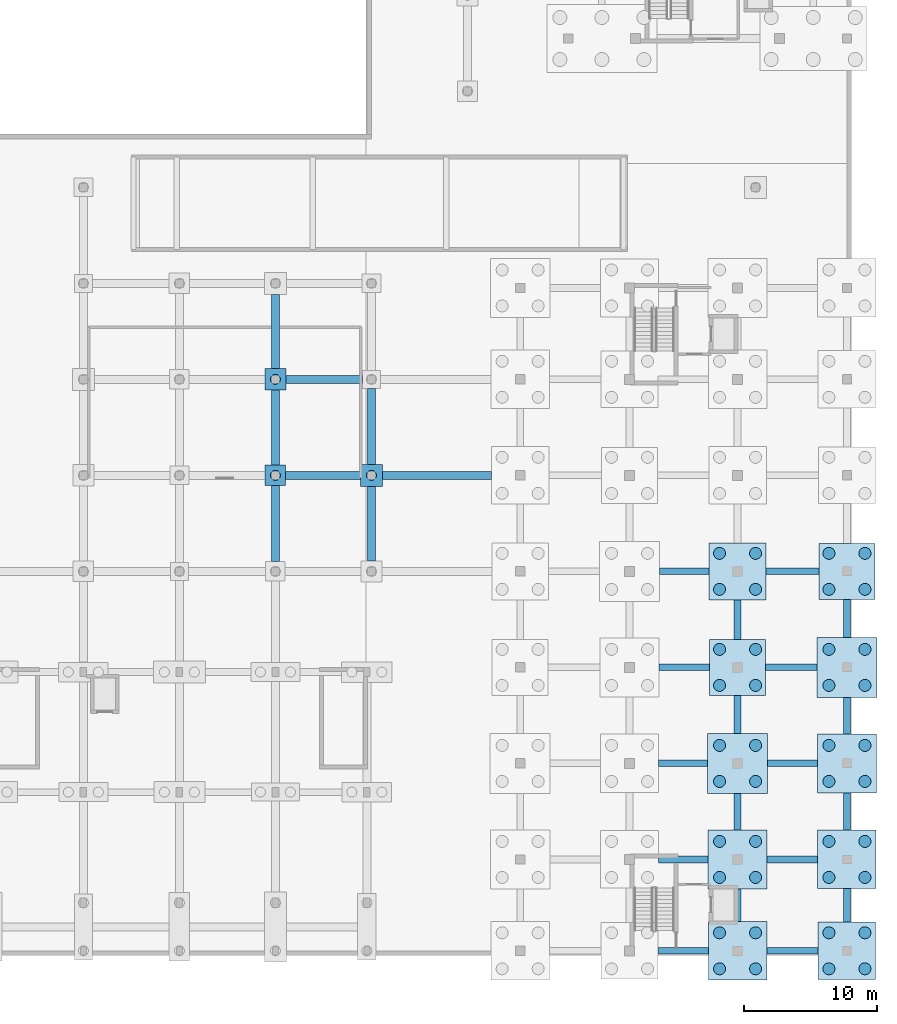
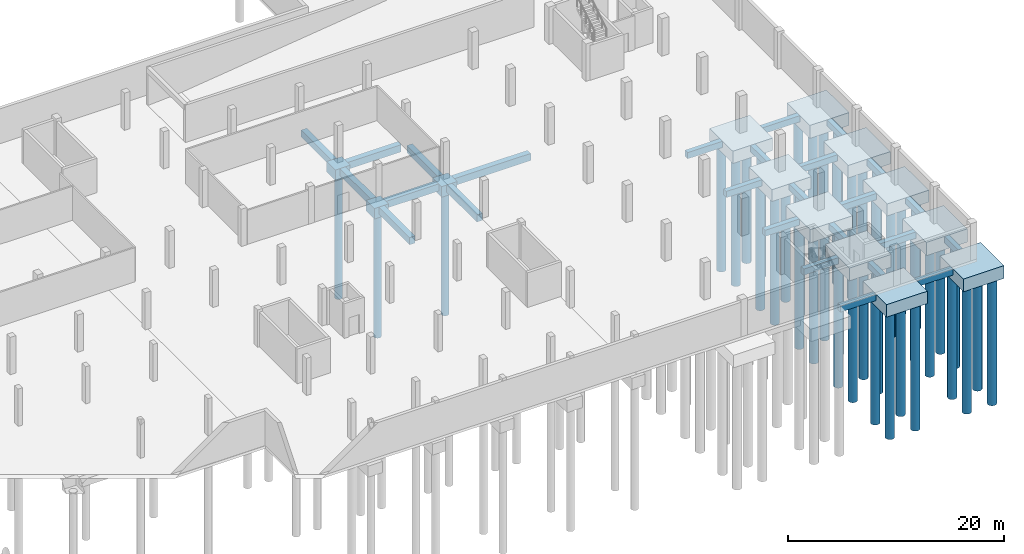
# One storey, part 10 of 36: 43 piles, 39 footings.
"""IFC4 building model written with IfcOpenShell, lengths in metres."""

from ifc_helpers import new_model, si_unit, derived_unit, direction, frame, origin, origin_2d, place, context, subcontext, project, spatial, polyline, rectangle, circle, outline, extrude, material, material_profile, profile_set, type_object, element, save


model = new_model("IFC4")

# Units and contexts
model_context = context("Model", 3, precision=1e-05, world=origin(), true_north=direction((0.0, 1.0)))
body_context = subcontext(model_context, "Body", "Model", "MODEL_VIEW")
ifc_project = project(units=[si_unit("LENGTHUNIT", "METRE"), si_unit("AREAUNIT", "SQUARE_METRE"), si_unit("VOLUMEUNIT", "CUBIC_METRE"), si_unit("PLANEANGLEUNIT", "RADIAN"), si_unit("MASSUNIT", "GRAM", prefix="KILO"), derived_unit("THERMALTRANSMITTANCEUNIT", [(si_unit("MASSUNIT", "GRAM", prefix="KILO"), 1), (si_unit("TIMEUNIT", "SECOND"), -3), (si_unit("THERMODYNAMICTEMPERATUREUNIT", "KELVIN"), -1)])], contexts=[model_context])

# Site, building, storey
site_placement = place(None, origin())
site = spatial("IfcSite", under=ifc_project, at=site_placement, CompositionType="ELEMENT")
building_placement = place(site_placement, origin())
building = spatial("IfcBuilding", under=site, at=building_placement, Name="Ochrekiln Boulevard Commons", CompositionType="ELEMENT")
storey_placement = place(building_placement, frame((0.0, 0.0, -4.199951171875)))
storey = spatial("IfcBuildingStorey", under=building, at=storey_placement, Name="B1", CompositionType="ELEMENT", Elevation=-4.199951171875)

# Footings
ifc_material = material(Name="Concrete C35/45", Category="concrete")
footing_type_1 = type_object("IfcFootingType", Name="CAP-RC-1530x1530x1200", PredefinedType="PILE_CAP", material=ifc_material)
footing_1_placement = place(storey_placement, frame((129.60009765625, 36.0, -1.5), z_axis=(0.0, 0.0, 1.0), x_axis=(1.0, 0.0, 0.0)))
element("IfcFooting", 1, at=footing_1_placement, inside=storey, type_object=footing_type_1, Name="Reinforced Concrete Pile Cap PC-30 (159)", PredefinedType="PILE_CAP", context=body_context, shape_type="SweptSolid", body=[
    extrude(rectangle(XDim=1.530029296875, YDim=1.530029296875, at=origin_2d()), origin(), (0.0, 0.0, 1.0), 1.199951171875),
])
footing_type_2 = type_object("IfcFootingType", Name="CAP-RC-1590x1590x1200", PredefinedType="PILE_CAP", material=ifc_material)
footing_2_placement = place(storey_placement, frame((129.60009765625, 43.199951171875, -1.5), z_axis=(0.0, 0.0, 1.0), x_axis=(1.0, 0.0, 0.0)))
element("IfcFooting", 2, at=footing_2_placement, inside=storey, type_object=footing_type_2, Name="Reinforced Concrete Pile Cap PC-26 (160)", PredefinedType="PILE_CAP", context=body_context, shape_type="SweptSolid", body=[
    extrude(rectangle(XDim=1.590087890625, YDim=1.590087890625, at=origin_2d()), origin(), (0.0, 0.0, 1.0), 1.199951171875),
])
footing_type_3 = type_object("IfcFootingType", Name="CAP-RC-1650x1650x1200", PredefinedType="PILE_CAP", material=ifc_material)
footing_3_placement = place(storey_placement, frame((136.800048828125, 36.0, -1.5), z_axis=(0.0, 0.0, 1.0), x_axis=(1.0, 0.0, 0.0)))
element("IfcFooting", 3, at=footing_3_placement, inside=storey, type_object=footing_type_3, Name="Reinforced Concrete Pile Cap PC-17 (167)", PredefinedType="PILE_CAP", context=body_context, shape_type="SweptSolid", body=[
    extrude(rectangle(XDim=1.64990234375, YDim=1.64990234375, at=origin_2d()), origin(), (0.0, 0.0, 1.0), 1.199951171875),
])
footing_type_4 = type_object("IfcFootingType", Name="CAP-RC-4200x4200x1350", PredefinedType="PILE_CAP", material=ifc_material)
footing_4_placement = place(storey_placement, frame((164.25, 21.60009765625, -1.650146484375), z_axis=(0.0, 0.0, 1.0), x_axis=(1.0, 0.0, 0.0)))
element("IfcFooting", 4, at=footing_4_placement, inside=storey, type_object=footing_type_4, Name="Reinforced Concrete Pile Cap PC-45 (204)", PredefinedType="PILE_CAP", context=body_context, shape_type="SweptSolid", body=[
    extrude(rectangle(XDim=4.199951171875, YDim=4.199951171875, at=origin_2d()), origin(), (0.0, 0.0, 1.0), 1.35009765625),
])
footing_type_5 = type_object("IfcFootingType", Name="CAP-RC-4200x4200x1450", PredefinedType="PILE_CAP", material=ifc_material)
footing_5_placement = place(storey_placement, frame((172.449951171875, 28.800048828125, -1.75), z_axis=(0.0, 0.0, 1.0), x_axis=(1.0, 0.0, 0.0)))
element("IfcFooting", 5, at=footing_5_placement, inside=storey, type_object=footing_type_5, Name="Reinforced Concrete Pile Cap PC-51 (222)", PredefinedType="PILE_CAP", context=body_context, shape_type="SweptSolid", body=[
    extrude(rectangle(XDim=4.199951171875, YDim=4.199951171875, at=origin_2d()), origin(), (0.0, 0.0, 1.0), 1.449951171875),
])
footing_type_6 = type_object("IfcFootingType", Name="CAP-RC-4260x4260x1400", PredefinedType="PILE_CAP", material=ifc_material)
footing_6_placement = place(storey_placement, frame((164.25, 28.800048828125, -1.699951171875), z_axis=(0.0, 0.0, 1.0), x_axis=(1.0, 0.0, 0.0)))
element("IfcFooting", 6, at=footing_6_placement, inside=storey, type_object=footing_type_6, Name="Reinforced Concrete Pile Cap PC-46 (205)", PredefinedType="PILE_CAP", context=body_context, shape_type="SweptSolid", body=[
    extrude(rectangle(XDim=4.260009765625, YDim=4.260009765625, at=origin_2d()), origin(), (0.0, 0.0, 1.0), 1.39990234375),
])
footing_type_7 = type_object("IfcFootingType", Name="CAP-RC-4320x4320x1450", PredefinedType="PILE_CAP", material=ifc_material)
footing_7_placement = place(storey_placement, frame((172.449951171875, 0.35009765625, -1.75), z_axis=(0.0, 0.0, 1.0), x_axis=(1.0, 0.0, 0.0)))
element("IfcFooting", 7, at=footing_7_placement, inside=storey, type_object=footing_type_7, Name="Reinforced Concrete Pile Cap PC-47 (218)", PredefinedType="PILE_CAP", context=body_context, shape_type="SweptSolid", body=[
    extrude(rectangle(XDim=4.320068359375, YDim=4.320068359375, at=origin_2d()), origin(), (0.0, 0.0, 1.0), 1.449951171875),
])
footing_type_8 = type_object("IfcFootingType", Name="CAP-RC-4380x4380x1400", PredefinedType="PILE_CAP", material=ifc_material)
footing_8_placement = place(storey_placement, frame((164.25, 0.35009765625, -1.699951171875), z_axis=(0.0, 0.0, 1.0), x_axis=(1.0, 0.0, 0.0)))
element("IfcFooting", 8, at=footing_8_placement, inside=storey, type_object=footing_type_8, Name="Reinforced Concrete Pile Cap PC-42 (201)", PredefinedType="PILE_CAP", context=body_context, shape_type="SweptSolid", body=[
    extrude(rectangle(XDim=4.3798828125, YDim=4.3798828125, at=origin_2d()), origin(), (0.0, 0.0, 1.0), 1.39990234375),
])
footing_type_9 = type_object("IfcFootingType", Name="CAP-RC-4380x4380x1500", PredefinedType="PILE_CAP", material=ifc_material)
footing_9_placement = place(storey_placement, frame((172.449951171875, 7.199951171875, -1.800048828125), z_axis=(0.0, 0.0, 1.0), x_axis=(1.0, 0.0, 0.0)))
element("IfcFooting", 9, at=footing_9_placement, inside=storey, type_object=footing_type_9, Name="Reinforced Concrete Pile Cap PC-48 (219)", PredefinedType="PILE_CAP", context=body_context, shape_type="SweptSolid", body=[
    extrude(rectangle(XDim=4.3798828125, YDim=4.3798828125, at=origin_2d()), origin(), (0.0, 0.0, 1.0), 1.5),
])
footing_type_10 = type_object("IfcFootingType", Name="CAP-RC-4440x4440x1350", PredefinedType="PILE_CAP", material=ifc_material)
footing_10_placement = place(storey_placement, frame((172.449951171875, 14.39990234375, -1.650146484375), z_axis=(0.0, 0.0, 1.0), x_axis=(1.0, 0.0, 0.0)))
element("IfcFooting", 10, at=footing_10_placement, inside=storey, type_object=footing_type_10, Name="Reinforced Concrete Pile Cap PC-49 (220)", PredefinedType="PILE_CAP", context=body_context, shape_type="SweptSolid", body=[
    extrude(rectangle(XDim=4.43994140625, YDim=4.43994140625, at=origin_2d()), origin(), (0.0, 0.0, 1.0), 1.35009765625),
])
footing_type_11 = type_object("IfcFootingType", Name="CAP-RC-4440x4440x1450", PredefinedType="PILE_CAP", material=ifc_material)
footing_11_placement = place(storey_placement, frame((164.25, 7.199951171875, -1.75), z_axis=(0.0, 0.0, 1.0), x_axis=(1.0, 0.0, 0.0)))
element("IfcFooting", 11, at=footing_11_placement, inside=storey, type_object=footing_type_11, Name="Reinforced Concrete Pile Cap PC-43 (202)", PredefinedType="PILE_CAP", context=body_context, shape_type="SweptSolid", body=[
    extrude(rectangle(XDim=4.43994140625, YDim=4.43994140625, at=origin_2d()), origin(), (0.0, 0.0, 1.0), 1.449951171875),
])
footing_type_12 = type_object("IfcFootingType", Name="CAP-RC-4500x4500x1400", PredefinedType="PILE_CAP", material=ifc_material)
footing_12_placement = place(storey_placement, frame((172.449951171875, 21.60009765625, -1.699951171875), z_axis=(0.0, 0.0, 1.0), x_axis=(1.0, 0.0, 0.0)))
element("IfcFooting", 12, at=footing_12_placement, inside=storey, type_object=footing_type_12, Name="Reinforced Concrete Pile Cap PC-50 (221)", PredefinedType="PILE_CAP", context=body_context, shape_type="SweptSolid", body=[
    extrude(rectangle(XDim=4.5, YDim=4.5, at=origin_2d()), origin(), (0.0, 0.0, 1.0), 1.39990234375),
])
footing_type_13 = type_object("IfcFootingType", Name="CAP-RC-4500x4500x1500", PredefinedType="PILE_CAP", material=ifc_material)
footing_13_placement = place(storey_placement, frame((164.25, 14.39990234375, -1.800048828125), z_axis=(0.0, 0.0, 1.0), x_axis=(1.0, 0.0, 0.0)))
element("IfcFooting", 13, at=footing_13_placement, inside=storey, type_object=footing_type_13, Name="Reinforced Concrete Pile Cap PC-44 (203)", PredefinedType="PILE_CAP", context=body_context, shape_type="SweptSolid", body=[
    extrude(rectangle(XDim=4.5, YDim=4.5, at=origin_2d()), origin(), (0.0, 0.0, 1.0), 1.5),
])
footing_type_14 = type_object("IfcFootingType", Name="FTG-BEAM-500x700", PredefinedType="FOOTING_BEAM", material=ifc_material)
footing_14_placement = place(storey_placement, frame((0.0, 0.0, -1.0)))
element("IfcFooting", 14, at=footing_14_placement, inside=storey, type_object=footing_type_14, Name="Seismic Footing Tie Beam FB-5070 X-3", PredefinedType="FOOTING_BEAM", context=body_context, shape_type="SweptSolid", body=[
    extrude(outline(polyline([(158.280029296875, 0.10009765625), (162.06005859375, 0.10009765625), (162.06005859375, 0.60009765625), (158.280029296875, 0.60009765625), (158.280029296875, 0.10009765625)])), origin(), (0.0, 0.0, 1.0), 0.699951171875),
])
footing_15_placement = place(storey_placement, frame((0.0, 0.0, -1.0)))
element("IfcFooting", 15, at=footing_15_placement, inside=storey, type_object=footing_type_14, Name="Seismic Footing Tie Beam FB-5070 X-4", PredefinedType="FOOTING_BEAM", context=body_context, shape_type="SweptSolid", body=[
    extrude(outline(polyline([(166.43994140625, 0.10009765625), (170.2900390625, 0.10009765625), (170.2900390625, 0.60009765625), (166.43994140625, 0.60009765625), (166.43994140625, 0.10009765625)])), origin(), (0.0, 0.0, 1.0), 0.699951171875),
])
footing_16_placement = place(storey_placement, frame((0.0, 0.0, -1.0)))
element("IfcFooting", 16, at=footing_16_placement, inside=storey, type_object=footing_type_14, Name="Seismic Footing Tie Beam FB-5070 X-7", PredefinedType="FOOTING_BEAM", context=body_context, shape_type="SweptSolid", body=[
    extrude(outline(polyline([(158.31005859375, 6.949951171875), (162.030029296875, 6.949951171875), (162.030029296875, 7.449951171875), (158.31005859375, 7.449951171875), (158.31005859375, 6.949951171875)])), origin(), (0.0, 0.0, 1.0), 0.699951171875),
])
footing_17_placement = place(storey_placement, frame((0.0, 0.0, -1.0)))
element("IfcFooting", 17, at=footing_17_placement, inside=storey, type_object=footing_type_14, Name="Seismic Footing Tie Beam FB-5070 X-8", PredefinedType="FOOTING_BEAM", context=body_context, shape_type="SweptSolid", body=[
    extrude(outline(polyline([(166.469970703125, 6.949951171875), (170.260009765625, 6.949951171875), (170.260009765625, 7.449951171875), (166.469970703125, 7.449951171875), (166.469970703125, 6.949951171875)])), origin(), (0.0, 0.0, 1.0), 0.699951171875),
])
footing_18_placement = place(storey_placement, frame((0.0, 0.0, -1.0)))
element("IfcFooting", 18, at=footing_18_placement, inside=storey, type_object=footing_type_14, Name="Seismic Footing Tie Beam FB-5070 X-11", PredefinedType="FOOTING_BEAM", context=body_context, shape_type="SweptSolid", body=[
    extrude(outline(polyline([(158.340087890625, 14.14990234375), (162.0, 14.14990234375), (162.0, 14.64990234375), (158.340087890625, 14.64990234375), (158.340087890625, 14.14990234375)])), origin(), (0.0, 0.0, 1.0), 0.699951171875),
])
footing_19_placement = place(storey_placement, frame((0.0, 0.0, -1.0)))
element("IfcFooting", 19, at=footing_19_placement, inside=storey, type_object=footing_type_14, Name="Seismic Footing Tie Beam FB-5070 X-12", PredefinedType="FOOTING_BEAM", context=body_context, shape_type="SweptSolid", body=[
    extrude(outline(polyline([(166.5, 14.14990234375), (170.22998046875, 14.14990234375), (170.22998046875, 14.64990234375), (166.5, 14.64990234375), (166.5, 14.14990234375)])), origin(), (0.0, 0.0, 1.0), 0.699951171875),
])
footing_20_placement = place(storey_placement, frame((0.0, 0.0, -1.0)))
element("IfcFooting", 20, at=footing_20_placement, inside=storey, type_object=footing_type_14, Name="Seismic Footing Tie Beam FB-5070 X-29", PredefinedType="FOOTING_BEAM", context=body_context, shape_type="SweptSolid", body=[
    extrude(outline(polyline([(158.3701171875, 21.35009765625), (162.14990234375, 21.35009765625), (162.14990234375, 21.85009765625), (158.3701171875, 21.85009765625), (158.3701171875, 21.35009765625)])), origin(), (0.0, 0.0, 1.0), 0.699951171875),
])
footing_21_placement = place(storey_placement, frame((0.0, 0.0, -1.0)))
element("IfcFooting", 21, at=footing_21_placement, inside=storey, type_object=footing_type_14, Name="Seismic Footing Tie Beam FB-5070 X-30", PredefinedType="FOOTING_BEAM", context=body_context, shape_type="SweptSolid", body=[
    extrude(outline(polyline([(166.35009765625, 21.35009765625), (170.199951171875, 21.35009765625), (170.199951171875, 21.85009765625), (166.35009765625, 21.85009765625), (166.35009765625, 21.35009765625)])), origin(), (0.0, 0.0, 1.0), 0.699951171875),
])
footing_22_placement = place(storey_placement, frame((0.0, 0.0, -1.0)))
element("IfcFooting", 22, at=footing_22_placement, inside=storey, type_object=footing_type_14, Name="Seismic Footing Tie Beam FB-5070 X-50", PredefinedType="FOOTING_BEAM", context=body_context, shape_type="SweptSolid", body=[
    extrude(outline(polyline([(158.39990234375, 28.550048828125), (162.1201171875, 28.550048828125), (162.1201171875, 29.050048828125), (158.39990234375, 29.050048828125), (158.39990234375, 28.550048828125)])), origin(), (0.0, 0.0, 1.0), 0.699951171875),
])
footing_23_placement = place(storey_placement, frame((0.0, 0.0, -1.0)))
element("IfcFooting", 23, at=footing_23_placement, inside=storey, type_object=footing_type_14, Name="Seismic Footing Tie Beam FB-5070 X-51", PredefinedType="FOOTING_BEAM", context=body_context, shape_type="SweptSolid", body=[
    extrude(outline(polyline([(166.3798828125, 28.550048828125), (170.35009765625, 28.550048828125), (170.35009765625, 29.050048828125), (166.3798828125, 29.050048828125), (166.3798828125, 28.550048828125)])), origin(), (0.0, 0.0, 1.0), 0.699951171875),
])
footing_24_placement = place(storey_placement, frame((0.0, 0.0, -1.0)))
element("IfcFooting", 24, at=footing_24_placement, inside=storey, type_object=footing_type_14, Name="Seismic Footing Tie Beam FB-5070 Y-307", PredefinedType="FOOTING_BEAM", context=body_context, shape_type="SweptSolid", body=[
    extrude(outline(polyline([(164.0, 2.5400390625), (164.5, 2.5400390625), (164.5, 4.97998046875), (164.0, 4.97998046875), (164.0, 2.5400390625)])), origin(), (0.0, 0.0, 1.0), 0.699951171875),
])
footing_25_placement = place(storey_placement, frame((0.0, 0.0, -1.0)))
element("IfcFooting", 25, at=footing_25_placement, inside=storey, type_object=footing_type_14, Name="Seismic Footing Tie Beam FB-5070 Y-308", PredefinedType="FOOTING_BEAM", context=body_context, shape_type="SweptSolid", body=[
    extrude(outline(polyline([(164.0, 9.419921875), (164.5, 9.419921875), (164.5, 12.14990234375), (164.0, 12.14990234375), (164.0, 9.419921875)])), origin(), (0.0, 0.0, 1.0), 0.699951171875),
])
footing_26_placement = place(storey_placement, frame((0.0, 0.0, -1.0)))
element("IfcFooting", 26, at=footing_26_placement, inside=storey, type_object=footing_type_14, Name="Seismic Footing Tie Beam FB-5070 Y-309", PredefinedType="FOOTING_BEAM", context=body_context, shape_type="SweptSolid", body=[
    extrude(outline(polyline([(164.0, 16.64990234375), (164.5, 16.64990234375), (164.5, 19.5), (164.0, 19.5), (164.0, 16.64990234375)])), origin(), (0.0, 0.0, 1.0), 0.699951171875),
])
footing_27_placement = place(storey_placement, frame((0.0, 0.0, -1.0)))
element("IfcFooting", 27, at=footing_27_placement, inside=storey, type_object=footing_type_14, Name="Seismic Footing Tie Beam FB-5070 Y-310", PredefinedType="FOOTING_BEAM", context=body_context, shape_type="SweptSolid", body=[
    extrude(outline(polyline([(164.0, 23.699951171875), (164.5, 23.699951171875), (164.5, 26.669921875), (164.0, 26.669921875), (164.0, 23.699951171875)])), origin(), (0.0, 0.0, 1.0), 0.699951171875),
])
footing_28_placement = place(storey_placement, frame((0.0, 0.0, -1.0)))
element("IfcFooting", 28, at=footing_28_placement, inside=storey, type_object=footing_type_14, Name="Seismic Footing Tie Beam FB-5070 Y-321", PredefinedType="FOOTING_BEAM", context=body_context, shape_type="SweptSolid", body=[
    extrude(outline(polyline([(172.199951171875, 2.510009765625), (172.699951171875, 2.510009765625), (172.699951171875, 5.010009765625), (172.199951171875, 5.010009765625), (172.199951171875, 2.510009765625)])), origin(), (0.0, 0.0, 1.0), 0.699951171875),
])
footing_29_placement = place(storey_placement, frame((0.0, 0.0, -1.0)))
element("IfcFooting", 29, at=footing_29_placement, inside=storey, type_object=footing_type_14, Name="Seismic Footing Tie Beam FB-5070 Y-322", PredefinedType="FOOTING_BEAM", context=body_context, shape_type="SweptSolid", body=[
    extrude(outline(polyline([(172.199951171875, 9.389892578125), (172.699951171875, 9.389892578125), (172.699951171875, 12.179931640625), (172.199951171875, 12.179931640625), (172.199951171875, 9.389892578125)])), origin(), (0.0, 0.0, 1.0), 0.699951171875),
])
footing_30_placement = place(storey_placement, frame((0.0, 0.0, -1.0)))
element("IfcFooting", 30, at=footing_30_placement, inside=storey, type_object=footing_type_14, Name="Seismic Footing Tie Beam FB-5070 Y-323", PredefinedType="FOOTING_BEAM", context=body_context, shape_type="SweptSolid", body=[
    extrude(outline(polyline([(172.199951171875, 16.6201171875), (172.699951171875, 16.6201171875), (172.699951171875, 19.35009765625), (172.199951171875, 19.35009765625), (172.199951171875, 16.6201171875)])), origin(), (0.0, 0.0, 1.0), 0.699951171875),
])
footing_31_placement = place(storey_placement, frame((0.0, 0.0, -1.0)))
element("IfcFooting", 31, at=footing_31_placement, inside=storey, type_object=footing_type_14, Name="Seismic Footing Tie Beam FB-5070 Y-324", PredefinedType="FOOTING_BEAM", context=body_context, shape_type="SweptSolid", body=[
    extrude(outline(polyline([(172.199951171875, 23.85009765625), (172.699951171875, 23.85009765625), (172.699951171875, 26.699951171875), (172.199951171875, 26.699951171875), (172.199951171875, 23.85009765625)])), origin(), (0.0, 0.0, 1.0), 0.699951171875),
])
footing_type_15 = type_object("IfcFootingType", Name="FTG-BEAM-600x800", PredefinedType="FOOTING_BEAM", material=ifc_material)
footing_32_placement = place(storey_placement, frame((0.0, 0.0, -1.10009765625)))
element("IfcFooting", 32, at=footing_32_placement, inside=storey, type_object=footing_type_15, Name="Seismic Footing Tie Beam FB-6080 X-66", PredefinedType="FOOTING_BEAM", context=body_context, shape_type="SweptSolid", body=[
    extrude(outline(polyline([(130.364990234375, 35.699951171875), (135.97509765625, 35.699951171875), (135.97509765625, 36.300048828125), (130.364990234375, 36.300048828125), (130.364990234375, 35.699951171875)])), origin(), (0.0, 0.0, 1.0), 0.800048828125),
])
footing_33_placement = place(storey_placement, frame((0.0, 0.0, -1.10009765625)))
element("IfcFooting", 33, at=footing_33_placement, inside=storey, type_object=footing_type_15, Name="Seismic Footing Tie Beam FB-6080 X-67", PredefinedType="FOOTING_BEAM", context=body_context, shape_type="SweptSolid", body=[
    extrude(outline(polyline([(137.625, 35.699951171875), (145.7900390625, 35.699951171875), (145.7900390625, 36.300048828125), (137.625, 36.300048828125), (137.625, 35.699951171875)])), origin(), (0.0, 0.0, 1.0), 0.800048828125),
])
footing_34_placement = place(storey_placement, frame((0.0, 0.0, -1.10009765625)))
element("IfcFooting", 34, at=footing_34_placement, inside=storey, type_object=footing_type_15, Name="Seismic Footing Tie Beam FB-6080 X-78", PredefinedType="FOOTING_BEAM", context=body_context, shape_type="SweptSolid", body=[
    extrude(outline(polyline([(130.39501953125, 42.89990234375), (136.125, 42.89990234375), (136.125, 43.5), (130.39501953125, 43.5), (130.39501953125, 42.89990234375)])), origin(), (0.0, 0.0, 1.0), 0.800048828125),
])
footing_35_placement = place(storey_placement, frame((0.0, 0.0, -1.10009765625)))
element("IfcFooting", 35, at=footing_35_placement, inside=storey, type_object=footing_type_15, Name="Seismic Footing Tie Beam FB-6080 Y-274", PredefinedType="FOOTING_BEAM", context=body_context, shape_type="SweptSolid", body=[
    extrude(outline(polyline([(129.300048828125, 29.534912109375), (129.89990234375, 29.534912109375), (129.89990234375, 35.235107421875), (129.300048828125, 35.235107421875), (129.300048828125, 29.534912109375)])), origin(), (0.0, 0.0, 1.0), 0.800048828125),
])
footing_36_placement = place(storey_placement, frame((0.0, 0.0, -1.10009765625)))
element("IfcFooting", 36, at=footing_36_placement, inside=storey, type_object=footing_type_15, Name="Seismic Footing Tie Beam FB-6080 Y-275", PredefinedType="FOOTING_BEAM", context=body_context, shape_type="SweptSolid", body=[
    extrude(outline(polyline([(129.300048828125, 36.764892578125), (129.89990234375, 36.764892578125), (129.89990234375, 42.405029296875), (129.300048828125, 42.405029296875), (129.300048828125, 36.764892578125)])), origin(), (0.0, 0.0, 1.0), 0.800048828125),
])
footing_37_placement = place(storey_placement, frame((0.0, 0.0, -1.10009765625)))
element("IfcFooting", 37, at=footing_37_placement, inside=storey, type_object=footing_type_15, Name="Seismic Footing Tie Beam FB-6080 Y-276", PredefinedType="FOOTING_BEAM", context=body_context, shape_type="SweptSolid", body=[
    extrude(outline(polyline([(129.300048828125, 43.9951171875), (129.89990234375, 43.9951171875), (129.89990234375, 49.574951171875), (129.300048828125, 49.574951171875), (129.300048828125, 43.9951171875)])), origin(), (0.0, 0.0, 1.0), 0.800048828125),
])
footing_38_placement = place(storey_placement, frame((0.0, 0.0, -1.10009765625)))
element("IfcFooting", 38, at=footing_38_placement, inside=storey, type_object=footing_type_15, Name="Seismic Footing Tie Beam FB-6080 Y-279", PredefinedType="FOOTING_BEAM", context=body_context, shape_type="SweptSolid", body=[
    extrude(outline(polyline([(136.5, 29.594970703125), (137.10009765625, 29.594970703125), (137.10009765625, 35.175048828125), (136.5, 35.175048828125), (136.5, 29.594970703125)])), origin(), (0.0, 0.0, 1.0), 0.800048828125),
])
footing_39_placement = place(storey_placement, frame((0.0, 0.0, -1.10009765625)))
element("IfcFooting", 39, at=footing_39_placement, inside=storey, type_object=footing_type_15, Name="Seismic Footing Tie Beam FB-6080 Y-280", PredefinedType="FOOTING_BEAM", context=body_context, shape_type="SweptSolid", body=[
    extrude(outline(polyline([(136.5, 36.824951171875), (137.10009765625, 36.824951171875), (137.10009765625, 42.52490234375), (136.5, 42.52490234375), (136.5, 36.824951171875)])), origin(), (0.0, 0.0, 1.0), 0.800048828125),
])

# Piles
ifc_material_profile_1 = material_profile(ifc_material, circle(Radius=0.375, at=origin_2d()), Name="PILE-D750")
ifc_profile_set_1 = profile_set([ifc_material_profile_1], Name="Concrete C35/45")
pile_type_1 = type_object("IfcPileType", Name="PILE-BORED-750", PredefinedType="BORED", material=ifc_profile_set_1)
for number, where, z_axis, x_axis, name in (
    (40, (129.60009765625, 36.0, -1.400146484375), (0.0, 0.0, -1.0), (1.0, 0.0, 0.0), "Caliche-Socketed Bored Pile BP-750 (159.1)"),
    (41, (129.60009765625, 43.199951171875, -1.400146484375), (0.0, 0.0, -1.0), (1.0, 0.0, 0.0), "Caliche-Socketed Bored Pile BP-750 (160.1)"),
    (42, (136.800048828125, 36.0, -1.400146484375), (0.0, 0.0, -1.0), (1.0, 0.0, 0.0), "Caliche-Socketed Bored Pile BP-750 (167.1)"),
):
    element("IfcPile", number, at=place(storey_placement, frame(where, z_axis=z_axis, x_axis=x_axis)), inside=storey, type_object=pile_type_1, Name=name, PredefinedType="BORED", context=body_context, shape_type="SweptSolid", body=[
        extrude(circle(Radius=0.375, at=origin_2d()), origin(), (0.0, 0.0, 1.0), 14.0),
    ])
ifc_material_profile_2 = material_profile(ifc_material, circle(Radius=0.449951171875, at=origin_2d()), Name="PILE-D900")
ifc_profile_set_2 = profile_set([ifc_material_profile_2], Name="Concrete C35/45")
pile_type_2 = type_object("IfcPileType", Name="PILE-BORED-900", PredefinedType="BORED", material=ifc_profile_set_2)
for number, where, z_axis, x_axis, name in (
    (43, (162.89990234375, -1.0, -1.60009765625), (0.0, 0.0, -1.0), (1.0, 0.0, 0.0), "Caliche-Socketed Bored Pile BP-900 (201.1)"),
    (44, (162.89990234375, 1.699951171875, -1.60009765625), (0.0, 0.0, -1.0), (1.0, 0.0, 0.0), "Caliche-Socketed Bored Pile BP-900 (201.2)"),
    (45, (165.60009765625, -1.0, -1.60009765625), (0.0, 0.0, -1.0), (1.0, 0.0, 0.0), "Caliche-Socketed Bored Pile BP-900 (201.3)"),
    (46, (165.60009765625, 1.699951171875, -1.60009765625), (0.0, 0.0, -1.0), (1.0, 0.0, 0.0), "Caliche-Socketed Bored Pile BP-900 (201.4)"),
):
    element("IfcPile", number, at=place(storey_placement, frame(where, z_axis=z_axis, x_axis=x_axis)), inside=storey, type_object=pile_type_2, Name=name, PredefinedType="BORED", context=body_context, shape_type="SweptSolid", body=[
        extrude(circle(Radius=0.449951171875, at=origin_2d()), origin(), (0.0, 0.0, 1.0), 14.39990234375),
    ])
for number, where, z_axis, x_axis, name in (
    (47, (162.89990234375, 5.85009765625, -1.650146484375), (0.0, 0.0, -1.0), (1.0, 0.0, 0.0), "Caliche-Socketed Bored Pile BP-900 (202.1)"),
    (48, (162.89990234375, 8.550048828125, -1.650146484375), (0.0, 0.0, -1.0), (1.0, 0.0, 0.0), "Caliche-Socketed Bored Pile BP-900 (202.2)"),
    (49, (165.60009765625, 5.85009765625, -1.650146484375), (0.0, 0.0, -1.0), (1.0, 0.0, 0.0), "Caliche-Socketed Bored Pile BP-900 (202.3)"),
    (50, (165.60009765625, 8.550048828125, -1.650146484375), (0.0, 0.0, -1.0), (1.0, 0.0, 0.0), "Caliche-Socketed Bored Pile BP-900 (202.4)"),
):
    element("IfcPile", number, at=place(storey_placement, frame(where, z_axis=z_axis, x_axis=x_axis)), inside=storey, type_object=pile_type_2, Name=name, PredefinedType="BORED", context=body_context, shape_type="SweptSolid", body=[
        extrude(circle(Radius=0.449951171875, at=origin_2d()), origin(), (0.0, 0.0, 1.0), 14.35009765625),
    ])
for number, where, z_axis, x_axis, name in (
    (51, (162.89990234375, 13.050048828125, -1.699951171875), (0.0, 0.0, -1.0), (1.0, 0.0, 0.0), "Caliche-Socketed Bored Pile BP-900 (203.1)"),
    (52, (162.89990234375, 15.75, -1.699951171875), (0.0, 0.0, -1.0), (1.0, 0.0, 0.0), "Caliche-Socketed Bored Pile BP-900 (203.2)"),
    (53, (165.60009765625, 13.050048828125, -1.699951171875), (0.0, 0.0, -1.0), (1.0, 0.0, 0.0), "Caliche-Socketed Bored Pile BP-900 (203.3)"),
    (54, (165.60009765625, 15.75, -1.699951171875), (0.0, 0.0, -1.0), (1.0, 0.0, 0.0), "Caliche-Socketed Bored Pile BP-900 (203.4)"),
):
    element("IfcPile", number, at=place(storey_placement, frame(where, z_axis=z_axis, x_axis=x_axis)), inside=storey, type_object=pile_type_2, Name=name, PredefinedType="BORED", context=body_context, shape_type="SweptSolid", body=[
        extrude(circle(Radius=0.449951171875, at=origin_2d()), origin(), (0.0, 0.0, 1.0), 14.300048828125),
    ])
for number, where, z_axis, x_axis, name in (
    (55, (162.89990234375, 20.25, -1.550048828125), (0.0, 0.0, -1.0), (1.0, 0.0, 0.0), "Caliche-Socketed Bored Pile BP-900 (204.1)"),
    (56, (162.89990234375, 22.949951171875, -1.550048828125), (0.0, 0.0, -1.0), (1.0, 0.0, 0.0), "Caliche-Socketed Bored Pile BP-900 (204.2)"),
    (57, (165.60009765625, 20.25, -1.550048828125), (0.0, 0.0, -1.0), (1.0, 0.0, 0.0), "Caliche-Socketed Bored Pile BP-900 (204.3)"),
    (58, (165.60009765625, 22.949951171875, -1.550048828125), (0.0, 0.0, -1.0), (1.0, 0.0, 0.0), "Caliche-Socketed Bored Pile BP-900 (204.4)"),
):
    element("IfcPile", number, at=place(storey_placement, frame(where, z_axis=z_axis, x_axis=x_axis)), inside=storey, type_object=pile_type_2, Name=name, PredefinedType="BORED", context=body_context, shape_type="SweptSolid", body=[
        extrude(circle(Radius=0.449951171875, at=origin_2d()), origin(), (0.0, 0.0, 1.0), 14.449951171875),
    ])
for number, where, z_axis, x_axis, name in (
    (59, (162.89990234375, 27.449951171875, -1.60009765625), (0.0, 0.0, -1.0), (1.0, 0.0, 0.0), "Caliche-Socketed Bored Pile BP-900 (205.1)"),
    (60, (162.89990234375, 30.14990234375, -1.60009765625), (0.0, 0.0, -1.0), (1.0, 0.0, 0.0), "Caliche-Socketed Bored Pile BP-900 (205.2)"),
    (61, (165.60009765625, 27.449951171875, -1.60009765625), (0.0, 0.0, -1.0), (1.0, 0.0, 0.0), "Caliche-Socketed Bored Pile BP-900 (205.3)"),
    (62, (165.60009765625, 30.14990234375, -1.60009765625), (0.0, 0.0, -1.0), (1.0, 0.0, 0.0), "Caliche-Socketed Bored Pile BP-900 (205.4)"),
):
    element("IfcPile", number, at=place(storey_placement, frame(where, z_axis=z_axis, x_axis=x_axis)), inside=storey, type_object=pile_type_2, Name=name, PredefinedType="BORED", context=body_context, shape_type="SweptSolid", body=[
        extrude(circle(Radius=0.449951171875, at=origin_2d()), origin(), (0.0, 0.0, 1.0), 14.39990234375),
    ])
for number, where, z_axis, x_axis, name in (
    (63, (171.10009765625, -1.0, -1.650146484375), (0.0, 0.0, -1.0), (1.0, 0.0, 0.0), "Caliche-Socketed Bored Pile BP-900 (218.1)"),
    (64, (171.10009765625, 1.699951171875, -1.650146484375), (0.0, 0.0, -1.0), (1.0, 0.0, 0.0), "Caliche-Socketed Bored Pile BP-900 (218.2)"),
    (65, (173.800048828125, -1.0, -1.650146484375), (0.0, 0.0, -1.0), (1.0, 0.0, 0.0), "Caliche-Socketed Bored Pile BP-900 (218.3)"),
    (66, (173.800048828125, 1.699951171875, -1.650146484375), (0.0, 0.0, -1.0), (1.0, 0.0, 0.0), "Caliche-Socketed Bored Pile BP-900 (218.4)"),
):
    element("IfcPile", number, at=place(storey_placement, frame(where, z_axis=z_axis, x_axis=x_axis)), inside=storey, type_object=pile_type_2, Name=name, PredefinedType="BORED", context=body_context, shape_type="SweptSolid", body=[
        extrude(circle(Radius=0.449951171875, at=origin_2d()), origin(), (0.0, 0.0, 1.0), 14.35009765625),
    ])
for number, where, z_axis, x_axis, name in (
    (67, (171.10009765625, 5.85009765625, -1.699951171875), (0.0, 0.0, -1.0), (1.0, 0.0, 0.0), "Caliche-Socketed Bored Pile BP-900 (219.1)"),
    (68, (171.10009765625, 8.550048828125, -1.699951171875), (0.0, 0.0, -1.0), (1.0, 0.0, 0.0), "Caliche-Socketed Bored Pile BP-900 (219.2)"),
    (69, (173.800048828125, 5.85009765625, -1.699951171875), (0.0, 0.0, -1.0), (1.0, 0.0, 0.0), "Caliche-Socketed Bored Pile BP-900 (219.3)"),
    (70, (173.800048828125, 8.550048828125, -1.699951171875), (0.0, 0.0, -1.0), (1.0, 0.0, 0.0), "Caliche-Socketed Bored Pile BP-900 (219.4)"),
):
    element("IfcPile", number, at=place(storey_placement, frame(where, z_axis=z_axis, x_axis=x_axis)), inside=storey, type_object=pile_type_2, Name=name, PredefinedType="BORED", context=body_context, shape_type="SweptSolid", body=[
        extrude(circle(Radius=0.449951171875, at=origin_2d()), origin(), (0.0, 0.0, 1.0), 14.300048828125),
    ])
for number, where, z_axis, x_axis, name in (
    (71, (171.10009765625, 13.050048828125, -1.550048828125), (0.0, 0.0, -1.0), (1.0, 0.0, 0.0), "Caliche-Socketed Bored Pile BP-900 (220.1)"),
    (72, (171.10009765625, 15.75, -1.550048828125), (0.0, 0.0, -1.0), (1.0, 0.0, 0.0), "Caliche-Socketed Bored Pile BP-900 (220.2)"),
    (73, (173.800048828125, 13.050048828125, -1.550048828125), (0.0, 0.0, -1.0), (1.0, 0.0, 0.0), "Caliche-Socketed Bored Pile BP-900 (220.3)"),
    (74, (173.800048828125, 15.75, -1.550048828125), (0.0, 0.0, -1.0), (1.0, 0.0, 0.0), "Caliche-Socketed Bored Pile BP-900 (220.4)"),
):
    element("IfcPile", number, at=place(storey_placement, frame(where, z_axis=z_axis, x_axis=x_axis)), inside=storey, type_object=pile_type_2, Name=name, PredefinedType="BORED", context=body_context, shape_type="SweptSolid", body=[
        extrude(circle(Radius=0.449951171875, at=origin_2d()), origin(), (0.0, 0.0, 1.0), 14.449951171875),
    ])
for number, where, z_axis, x_axis, name in (
    (75, (171.10009765625, 20.25, -1.60009765625), (0.0, 0.0, -1.0), (1.0, 0.0, 0.0), "Caliche-Socketed Bored Pile BP-900 (221.1)"),
    (76, (171.10009765625, 22.949951171875, -1.60009765625), (0.0, 0.0, -1.0), (1.0, 0.0, 0.0), "Caliche-Socketed Bored Pile BP-900 (221.2)"),
    (77, (173.800048828125, 20.25, -1.60009765625), (0.0, 0.0, -1.0), (1.0, 0.0, 0.0), "Caliche-Socketed Bored Pile BP-900 (221.3)"),
    (78, (173.800048828125, 22.949951171875, -1.60009765625), (0.0, 0.0, -1.0), (1.0, 0.0, 0.0), "Caliche-Socketed Bored Pile BP-900 (221.4)"),
):
    element("IfcPile", number, at=place(storey_placement, frame(where, z_axis=z_axis, x_axis=x_axis)), inside=storey, type_object=pile_type_2, Name=name, PredefinedType="BORED", context=body_context, shape_type="SweptSolid", body=[
        extrude(circle(Radius=0.449951171875, at=origin_2d()), origin(), (0.0, 0.0, 1.0), 14.39990234375),
    ])
for number, where, z_axis, x_axis, name in (
    (79, (171.10009765625, 27.449951171875, -1.650146484375), (0.0, 0.0, -1.0), (1.0, 0.0, 0.0), "Caliche-Socketed Bored Pile BP-900 (222.1)"),
    (80, (171.10009765625, 30.14990234375, -1.650146484375), (0.0, 0.0, -1.0), (1.0, 0.0, 0.0), "Caliche-Socketed Bored Pile BP-900 (222.2)"),
    (81, (173.800048828125, 27.449951171875, -1.650146484375), (0.0, 0.0, -1.0), (1.0, 0.0, 0.0), "Caliche-Socketed Bored Pile BP-900 (222.3)"),
    (82, (173.800048828125, 30.14990234375, -1.650146484375), (0.0, 0.0, -1.0), (1.0, 0.0, 0.0), "Caliche-Socketed Bored Pile BP-900 (222.4)"),
):
    element("IfcPile", number, at=place(storey_placement, frame(where, z_axis=z_axis, x_axis=x_axis)), inside=storey, type_object=pile_type_2, Name=name, PredefinedType="BORED", context=body_context, shape_type="SweptSolid", body=[
        extrude(circle(Radius=0.449951171875, at=origin_2d()), origin(), (0.0, 0.0, 1.0), 14.35009765625),
    ])

save(model, "model.ifc")
